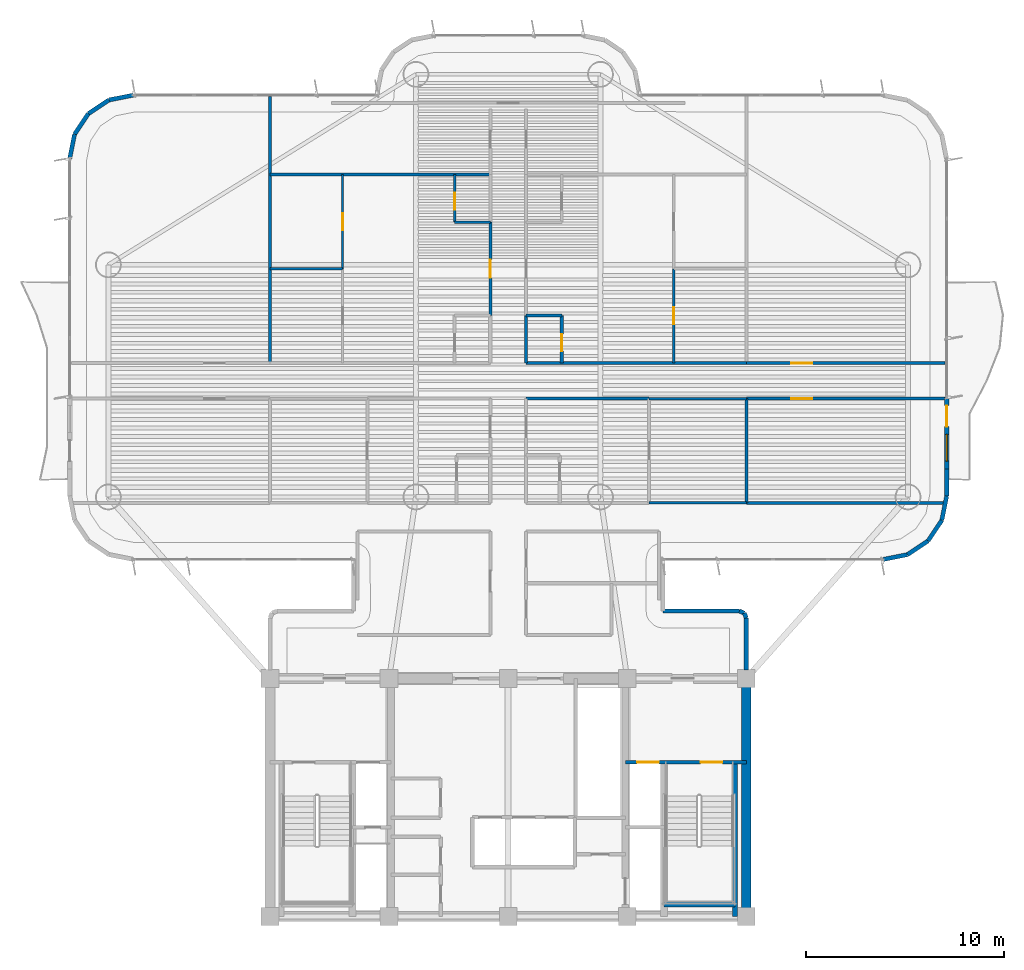
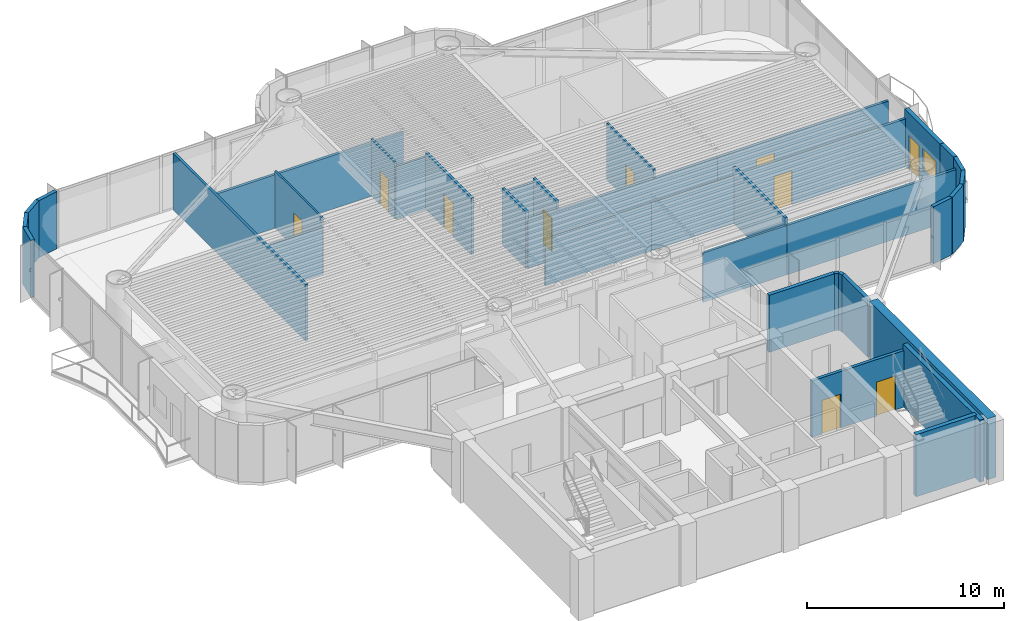
# One storey, part 11 of 17: 37 walls, 10 doors, 1 window, 11 openings.
"""IFC4 building model written with IfcOpenShell, lengths in metres."""

from ifc_helpers import new_model, si_unit, direction, frame, frame_2d, origin, origin_2d, place, context, subcontext, project, spatial, rectangle, extrude, source, transform, mapped, material, layer, layer_set, type_object, element, fill, save


model = new_model("IFC4")

# Units and contexts
model_context = context("Model", 3, precision=1e-05, world=origin(), true_north=direction((0.0, 1.0)))
body_context = subcontext(model_context, "Body", "Model", "MODEL_VIEW")
ifc_project = project(units=[si_unit("LENGTHUNIT", "METRE"), si_unit("AREAUNIT", "SQUARE_METRE"), si_unit("VOLUMEUNIT", "CUBIC_METRE"), si_unit("PLANEANGLEUNIT", "RADIAN"), si_unit("MASSUNIT", "GRAM", prefix="KILO")], contexts=[model_context])

# Site, building, storey
site_placement = place(None, origin())
site = spatial("IfcSite", under=ifc_project, at=site_placement, CompositionType="ELEMENT")
building_placement = place(site_placement, origin())
building = spatial("IfcBuilding", under=site, at=building_placement, Name="Brelvock Crest Care Tower", CompositionType="ELEMENT")
storey_placement = place(building_placement, frame((0.0, 0.0, 97.3798828125)))
storey = spatial("IfcBuildingStorey", under=building, at=storey_placement, Name="L24", CompositionType="ELEMENT", Elevation=97.3798828125)

# Walls
ifc_material_1 = material(Name="Concrete S80 (80 MPa)", Category="concrete")
ifc_layer_1 = layer(ifc_material_1, 0.5, Name="WL-CS2")
ifc_layer_set_1 = layer_set([ifc_layer_1], Name="Concrete S80 (80 MPa)")
wall_type_1 = type_object("IfcWallType", Name="WL-CS2", PredefinedType="SHEAR", material=ifc_layer_set_1)
wall_1_placement = place(storey_placement, frame((48.0, 18.0, 0.0), z_axis=(0.0, 0.0, 1.0), x_axis=(0.0, -1.0, 0.0)))
element("IfcWall", 1, at=wall_1_placement, inside=storey, type_object=wall_type_1, Name="L24 Core East Shear Wall", PredefinedType="SHEAR", context=body_context, shape_type="SweptSolid", body=[
    extrude(rectangle(XDim=12.0, YDim=0.5, at=frame_2d((6.0, 0.0))), origin(), (0.0, 0.0, 1.0), 3.780029296875),
])
ifc_layer_2 = layer(ifc_material_1, 0.25, Name="WL-CS6")
ifc_layer_set_2 = layer_set([ifc_layer_2], Name="Concrete S80 (80 MPa)")
wall_type_2 = type_object("IfcWallType", Name="WL-CS6", PredefinedType="SHEAR", material=ifc_layer_set_2)
wall_2_placement = place(storey_placement, frame((47.419921875, 6.0, 0.0), z_axis=(0.0, 0.0, 1.0), x_axis=(0.0, 1.0, 0.0)))
element("IfcWall", 2, at=wall_2_placement, inside=storey, type_object=wall_type_2, Name="L24 Core Stair ST-2 East Shear Wall", PredefinedType="SHEAR", context=body_context, shape_type="SweptSolid", body=[
    extrude(rectangle(XDim=7.780029296875, YDim=0.25, at=frame_2d((3.89013671875, 0.0))), origin(), (0.0, 0.0, 1.0), 3.85009765625),
])
wall_3_placement = place(storey_placement, frame((43.85009765625, 6.6201171875, 0.0), z_axis=(0.0, 0.0, 1.0), x_axis=(1.0, 0.0, 0.0)))
element("IfcWall", 3, at=wall_3_placement, inside=storey, type_object=wall_type_2, Name="L24 Core Stair ST-2 South Shear Wall", PredefinedType="SHEAR", context=body_context, shape_type="SweptSolid", body=[
    extrude(rectangle(XDim=3.56982421875, YDim=0.25, at=frame_2d((1.784912109375, 0.0))), origin(), (0.0, 0.0, 1.0), 3.85009765625),
])

# Wall, openings, door, window
ifc_material_2 = material(Name="Precast concrete N40 (40 MPa)", Category="concrete")
ifc_layer_3 = layer(ifc_material_2, 0.239990234375, Name="WL-EX1")
ifc_layer_set_3 = layer_set([ifc_layer_3], Name="Precast concrete N40 (40 MPa)")
wall_type_3 = type_object("IfcWallType", Name="WL-EX1", PredefinedType="SOLIDWALL", material=ifc_layer_set_3)
wall_4_placement = place(storey_placement, frame((58.10009765625, 32.14990234375, 0.0), z_axis=(0.0, 0.0, 1.0), x_axis=(0.0, -1.0, 0.0)))
wall_4 = element("IfcWall", 4, at=wall_4_placement, inside=storey, type_object=wall_type_3, Name="L24 Exterior Spandrel Wall WL-BAL-L24-E", PredefinedType="SOLIDWALL", context=body_context, shape_type="SweptSolid", body=[
    extrude(rectangle(XDim=3.599853515625, YDim=0.239990234375, at=frame_2d((1.7998046875, 0.0))), origin(), (0.0, 0.0, 1.0), 3.530029296875),
])
opening_1_placement = place(wall_4_placement, frame((0.39990234375, 0.0, 0.0)))
opening_1 = element("IfcOpeningElement", 5, at=opening_1_placement, cuts=wall_4, Name="Opening BD-1", PredefinedType="OPENING", context=body_context, shape_type="SweptSolid", body=[
    extrude(rectangle(XDim=1.050048828125, YDim=2.14990234375, at=origin_2d()), frame((0.52490234375, 0.1298828125, 1.074951171875), z_axis=(0.0, -1.0, 0.0), x_axis=(1.0, 0.0, 0.0)), (0.0, 0.0, 1.0), 0.260009765625),
])
opening_2_placement = place(wall_4_placement, frame((1.85009765625, 0.0, 0.85009765625)))
opening_2 = element("IfcOpeningElement", 6, at=opening_2_placement, cuts=wall_4, Name="Opening W-01", PredefinedType="OPENING", context=body_context, shape_type="SweptSolid", body=[
    extrude(rectangle(XDim=1.35009765625, YDim=1.35009765625, at=origin_2d()), frame((0.675048828125, 0.1298828125, 0.675048828125), z_axis=(0.0, -1.0, 0.0), x_axis=(1.0, 0.0, 0.0)), (0.0, 0.0, 1.0), 0.260009765625),
])
ifc_material_3 = material(Name="Dark Glass Double Glazed Low-E", Category="glass")
door_type_1 = type_object("IfcDoorType", Name="DR-BAL1", OperationType="NOTDEFINED", PredefinedType="DOOR", material=ifc_material_3)
shared_shape_1 = source(origin(), body_context, "Body", "SweptSolid", [
    extrude(rectangle(XDim=1.050048828125, YDim=2.14990234375, at=origin_2d()), frame((0.52490234375, 0.02490234375, 1.074951171875), z_axis=(0.0, -1.0, 0.0), x_axis=(1.0, 0.0, 0.0)), (0.0, 0.0, 1.0), 0.050048828125),
])
door_1_placement = place(opening_1_placement, origin())
door_1 = element("IfcDoor", 7, at=door_1_placement, inside=storey, type_object=door_type_1, Name="L24 E Wave Balcony Glazed Door", OperationType="SINGLE_SWING_RIGHT", OverallHeight=2.14990234375, OverallWidth=1.050048828125, PredefinedType="DOOR", context=body_context, shape_type="MappedRepresentation", body=[
    mapped(shared_shape_1, transform((0.0, 0.0, 0.0), x_axis=(1.0, 0.0, 0.0), y_axis=(0.0, 1.0, 0.0), z_axis=(0.0, 0.0, 1.0), scale=1.0)),
])
fill(opening_1, door_1)
window_type = type_object("IfcWindowType", Name="WN-EX1", PartitioningType="SINGLE_PANEL", PredefinedType="WINDOW", material=ifc_material_3)
shared_shape_2 = source(origin(), body_context, "Body", "SweptSolid", [
    extrude(rectangle(XDim=1.35009765625, YDim=1.35009765625, at=origin_2d()), frame((0.675048828125, 0.030029296875, 0.675048828125), z_axis=(0.0, -1.0, 0.0), x_axis=(1.0, 0.0, 0.0)), (0.0, 0.0, 1.0), 0.06005859375),
])
window_placement = place(opening_2_placement, origin())
window = element("IfcWindow", 8, at=window_placement, inside=storey, type_object=window_type, Name="L24 E Suite Casement Window", OverallHeight=1.35009765625, OverallWidth=1.35009765625, PartitioningType="SINGLE_PANEL", PredefinedType="WINDOW", context=body_context, shape_type="MappedRepresentation", body=[
    mapped(shared_shape_2, transform((0.0, 0.0, 0.0), x_axis=(1.0, 0.0, 0.0), y_axis=(0.0, 1.0, 0.0), z_axis=(0.0, 0.0, 1.0), scale=1.0)),
])
fill(opening_2, window)

# Walls
ifc_layer_4 = layer(ifc_material_2, 0.215087890625, Name="WL-EX2")
ifc_layer_set_4 = layer_set([ifc_layer_4], Name="Precast concrete N40 (40 MPa)")
wall_type_4 = type_object("IfcWallType", Name="WL-EX2", PredefinedType="SOLIDWALL", material=ifc_layer_set_4)
wall_5_placement = place(storey_placement, frame((47.8974609375, 21.297607421875, 0.0), z_axis=(0.0, 0.0, 1.0), x_axis=(0.382673670509, -0.923883575944, 0.0)))
element("IfcWall", 9, at=wall_5_placement, inside=storey, type_object=wall_type_4, Name="L24 Rounded Corner Wall 00", PredefinedType="SOLIDWALL", context=body_context, shape_type="SweptSolid", body=[
    extrude(rectangle(XDim=0.26806640625, YDim=0.215087890625, at=frame_2d((0.134033203125, 0.0))), origin(), (0.0, 0.0, 1.0), 3.530029296875),
])
wall_6_placement = place(storey_placement, frame((48.0, 21.050048828125, 0.0), z_axis=(0.0, 0.0, 1.0), x_axis=(0.0, -1.0, 0.0)))
element("IfcWall", 10, at=wall_6_placement, inside=storey, type_object=wall_type_4, Name="L24 Rounded Corner Wall 01", PredefinedType="SOLIDWALL", context=body_context, shape_type="SweptSolid", body=[
    extrude(rectangle(XDim=2.6201171875, YDim=0.215087890625, at=frame_2d((1.31005859375, 0.0))), origin(), (0.0, 0.0, 1.0), 3.530029296875),
])
for number, where, z_axis, x_axis, name in (
    (11, (13.89990234375, 44.199951171875, 0.0), (0.0, 0.0, 1.0), (0.195138390419, 0.980775717779, 0.0), "L24 Rounded Corner Wall 18"),
    (12, (14.1435546875, 45.424560546875, 0.0), (0.0, 0.0, 1.0), (0.555692485475, 0.831387912822, 0.0), "L24 Rounded Corner Wall 19"),
    (13, (14.83740234375, 46.462646484375, 0.0), (0.0, 0.0, 1.0), (0.831387912822, 0.555692485475, 0.0), "L24 Rounded Corner Wall 20"),
    (14, (15.87548828125, 47.156494140625, 0.0), (0.0, 0.0, 1.0), (0.980813122964, 0.194950295773, 0.0), "L24 Rounded Corner Wall 21"),
):
    element("IfcWall", number, at=place(storey_placement, frame(where, z_axis=z_axis, x_axis=x_axis)), inside=storey, type_object=wall_type_4, Name=name, PredefinedType="SOLIDWALL", context=body_context, shape_type="SweptSolid", body=[
        extrude(rectangle(XDim=1.24853515625, YDim=0.215087890625, at=frame_2d((0.624267578125, 0.0))), origin(), (0.0, 0.0, 1.0), 3.530029296875),
    ])
wall_7_placement = place(storey_placement, frame((58.10009765625, 28.550048828125, 0.0), z_axis=(0.0, 0.0, 1.0), x_axis=(0.0, -1.0, 0.0)))
element("IfcWall", 15, at=wall_7_placement, inside=storey, type_object=wall_type_4, Name="L24 Exterior Spandrel Pier E39B", PredefinedType="SOLIDWALL", context=body_context, shape_type="SweptSolid", body=[
    extrude(rectangle(XDim=1.35009765625, YDim=0.215087890625, at=frame_2d((0.675048828125, 0.0))), origin(), (0.0, 0.0, 1.0), 3.530029296875),
])
for number, where, z_axis, x_axis, name in (
    (16, (58.10009765625, 27.199951171875, 0.0), (0.0, 0.0, 1.0), (-0.195138390419, -0.980775717779, 0.0), "L24 Rounded Corner Wall 40"),
    (17, (57.8564453125, 25.975341796875, 0.0), (0.0, 0.0, 1.0), (-0.555692485475, -0.831387912822, 0.0), "L24 Rounded Corner Wall 41"),
    (18, (57.16259765625, 24.937255859375, 0.0), (0.0, 0.0, 1.0), (-0.831478245117, -0.555557312883, 0.0), "L24 Rounded Corner Wall 42"),
    (19, (56.12451171875, 24.24365234375, 0.0), (0.0, 0.0, 1.0), (-0.980775717779, -0.195138390419, 0.0), "L24 Rounded Corner Wall 43"),
):
    element("IfcWall", number, at=place(storey_placement, frame(where, z_axis=z_axis, x_axis=x_axis)), inside=storey, type_object=wall_type_4, Name=name, PredefinedType="SOLIDWALL", context=body_context, shape_type="SweptSolid", body=[
        extrude(rectangle(XDim=1.24853515625, YDim=0.215087890625, at=frame_2d((0.624267578125, 0.0))), origin(), (0.0, 0.0, 1.0), 3.530029296875),
    ])
wall_8_placement = place(storey_placement, frame((43.800048828125, 21.39990234375, 0.0), z_axis=(0.0, 0.0, 1.0), x_axis=(1.0, 0.0, 0.0)))
element("IfcWall", 20, at=wall_8_placement, inside=storey, type_object=wall_type_4, Name="L24 Rounded Corner Wall 46", PredefinedType="SOLIDWALL", context=body_context, shape_type="SweptSolid", body=[
    extrude(rectangle(XDim=3.849853515625, YDim=0.215087890625, at=frame_2d((1.9248046875, 0.0))), origin(), (0.0, 0.0, 1.0), 3.530029296875),
])
wall_9_placement = place(storey_placement, frame((47.64990234375, 21.39990234375, 0.0), z_axis=(0.0, 0.0, 1.0), x_axis=(0.924205486139, -0.381895560841, 0.0)))
element("IfcWall", 21, at=wall_9_placement, inside=storey, type_object=wall_type_4, Name="L24 Rounded Corner Wall 47", PredefinedType="SOLIDWALL", context=body_context, shape_type="SweptSolid", body=[
    extrude(rectangle(XDim=0.267822265625, YDim=0.215087890625, at=frame_2d((0.1337890625, 0.0))), origin(), (0.0, 0.0, 1.0), 3.530029296875),
])
ifc_material_4 = material(Name="Masonry Blockwork Acoustic Partition", Category="masonry")
ifc_layer_5 = layer(ifc_material_4, 0.14990234375, Name="WL-INT1")
ifc_layer_set_5 = layer_set([ifc_layer_5], Name="Masonry Blockwork Acoustic Partition")
wall_type_5 = type_object("IfcWallType", Name="WL-INT1", PredefinedType="PARTITIONING", material=ifc_layer_set_5)
wall_10_placement = place(storey_placement, frame((48.0, 26.85009765625, 0.0), z_axis=(0.0, 0.0, 1.0), x_axis=(1.0, 0.0, 0.0)))
element("IfcWall", 22, at=wall_10_placement, inside=storey, type_object=wall_type_5, Name="L24 Interior Wall WL-BX-L24-ISEO-S", PredefinedType="PARTITIONING", context=body_context, shape_type="SweptSolid", body=[
    extrude(rectangle(XDim=9.94873046875, YDim=0.14990234375, at=frame_2d((4.974365234375, 0.0))), origin(), (0.0, 0.0, 1.0), 3.05517578125),
])
wall_11_placement = place(storey_placement, frame((36.89990234375, 32.10009765625, 0.0), z_axis=(0.0, 0.0, 1.0), x_axis=(1.0, 0.0, 0.0)))
element("IfcWall", 23, at=wall_11_placement, inside=storey, type_object=wall_type_5, Name="L24 Interior Wall WL-BX-L24-CS-ISEI-N", PredefinedType="PARTITIONING", context=body_context, shape_type="SweptSolid", body=[
    extrude(rectangle(XDim=6.2001953125, YDim=0.14990234375, at=frame_2d((3.10009765625, 0.0))), origin(), (0.0, 0.0, 1.0), 2.982177734375),
])

# Wall, opening, door
wall_12_placement = place(storey_placement, frame((48.0, 32.10009765625, 0.0), z_axis=(0.0, 0.0, 1.0), x_axis=(1.0, 0.0, 0.0)))
wall_12 = element("IfcWall", 24, at=wall_12_placement, inside=storey, type_object=wall_type_5, Name="L24 Interior Wall WL-RM-L24-ISEO", PredefinedType="PARTITIONING", context=body_context, shape_type="SweptSolid", body=[
    extrude(rectangle(XDim=10.02001953125, YDim=0.14990234375, at=frame_2d((5.010009765625, 0.0))), origin(), (0.0, 0.0, 1.0), 2.982177734375),
])
opening_3_placement = place(wall_12_placement, frame((2.27490234375, 0.0, 0.0)))
opening_3 = element("IfcOpeningElement", 25, at=opening_3_placement, cuts=wall_12, Name="Opening CLD-1", PredefinedType="OPENING", context=body_context, shape_type="SweptSolid", body=[
    extrude(rectangle(XDim=1.050048828125, YDim=2.10009765625, at=origin_2d()), frame((0.52490234375, 0.0849609375, 1.050048828125), z_axis=(0.0, -1.0, 0.0), x_axis=(1.0, 0.0, 0.0)), (0.0, 0.0, 1.0), 0.169921875),
])
ifc_material_5 = material(Name="Engineered Hardwood Timber", Category="wood")
door_type_2 = type_object("IfcDoorType", Name="DR-CLN1", OperationType="NOTDEFINED", PredefinedType="DOOR", material=ifc_material_5)
shared_shape_3 = source(origin(), body_context, "Body", "SweptSolid", [
    extrude(rectangle(XDim=1.050048828125, YDim=2.10009765625, at=origin_2d()), frame((0.52490234375, 0.02490234375, 1.050048828125), z_axis=(0.0, -1.0, 0.0), x_axis=(1.0, 0.0, 0.0)), (0.0, 0.0, 1.0), 0.050048828125),
])
door_2_placement = place(opening_3_placement, origin())
door_2 = element("IfcDoor", 26, at=door_2_placement, inside=storey, type_object=door_type_2, Name="L24 Resident Harbour Study Door ISEO", OperationType="SINGLE_SWING_LEFT", OverallHeight=2.10009765625, OverallWidth=1.050048828125, PredefinedType="DOOR", context=body_context, shape_type="MappedRepresentation", body=[
    mapped(shared_shape_3, transform((0.0, 0.0, 0.0), x_axis=(1.0, 0.0, 0.0), y_axis=(0.0, 1.0, 0.0), z_axis=(0.0, 0.0, 1.0), scale=1.0)),
])
fill(opening_3, door_2)

# Wall
wall_13_placement = place(storey_placement, frame((36.89990234375, 33.89990234375, 0.0), z_axis=(0.0, 0.0, 1.0), x_axis=(1.0, 0.0, 0.0)))
element("IfcWall", 27, at=wall_13_placement, inside=storey, type_object=wall_type_5, Name="L24 Interior Wall WL-BX-L24-FL-INEI-S", PredefinedType="PARTITIONING", context=body_context, shape_type="SweptSolid", body=[
    extrude(rectangle(XDim=11.10009765625, YDim=0.14990234375, at=frame_2d((5.550048828125, 0.0))), origin(), (0.0, 0.0, 1.0), 2.982177734375),
])

# Wall, opening, door
wall_14_placement = place(storey_placement, frame((48.0, 33.89990234375, 0.0), z_axis=(0.0, 0.0, 1.0), x_axis=(1.0, 0.0, 0.0)))
wall_14 = element("IfcWall", 28, at=wall_14_placement, inside=storey, type_object=wall_type_5, Name="L24 Interior Wall WL-RM-L24-INEO", PredefinedType="PARTITIONING", context=body_context, shape_type="SweptSolid", body=[
    extrude(rectangle(XDim=10.02001953125, YDim=0.14990234375, at=frame_2d((5.010009765625, 0.0))), origin(), (0.0, 0.0, 1.0), 2.982177734375),
])
opening_4_placement = place(wall_14_placement, frame((2.27490234375, 0.0, 0.0)))
opening_4 = element("IfcOpeningElement", 29, at=opening_4_placement, cuts=wall_14, Name="Opening CLD-1", PredefinedType="OPENING", context=body_context, shape_type="SweptSolid", body=[
    extrude(rectangle(XDim=1.050048828125, YDim=2.10009765625, at=origin_2d()), frame((0.52490234375, 0.0849609375, 1.050048828125), z_axis=(0.0, -1.0, 0.0), x_axis=(1.0, 0.0, 0.0)), (0.0, 0.0, 1.0), 0.169921875),
])
door_3_placement = place(opening_4_placement, origin())
door_3 = element("IfcDoor", 30, at=door_3_placement, inside=storey, type_object=door_type_2, Name="L24 Resident Harbour Study Door INEO", OperationType="SINGLE_SWING_LEFT", OverallHeight=2.10009765625, OverallWidth=1.050048828125, PredefinedType="DOOR", context=body_context, shape_type="MappedRepresentation", body=[
    mapped(shared_shape_3, transform((0.0, 0.0, 0.0), x_axis=(1.0, 0.0, 0.0), y_axis=(0.0, 1.0, 0.0), z_axis=(0.0, 0.0, 1.0), scale=1.0)),
])
fill(opening_4, door_3)

# Walls
wall_15_placement = place(storey_placement, frame((24.0, 43.39990234375, 0.0), z_axis=(0.0, 0.0, 1.0), x_axis=(1.0, 0.0, 0.0)))
element("IfcWall", 31, at=wall_15_placement, inside=storey, type_object=wall_type_5, Name="L24 Interior Wall WL-BX-L24-FL-INWI-N", PredefinedType="PARTITIONING", context=body_context, shape_type="SweptSolid", body=[
    extrude(rectangle(XDim=11.10009765625, YDim=0.14990234375, at=frame_2d((5.550048828125, 0.0))), origin(), (0.0, 0.0, 1.0), 3.30810546875),
])
wall_16_placement = place(storey_placement, frame((24.0, 33.89990234375, 0.0), z_axis=(0.0, 0.0, 1.0), x_axis=(0.0, 1.0, 0.0)))
element("IfcWall", 32, at=wall_16_placement, inside=storey, type_object=wall_type_5, Name="L24 Interior Wall WL-BX-L24-INWO-E", PredefinedType="PARTITIONING", context=body_context, shape_type="SweptSolid", body=[
    extrude(rectangle(XDim=13.4208984375, YDim=0.14990234375, at=frame_2d((6.71044921875, 0.0))), origin(), (0.0, 0.0, 1.0), 3.5),
])

# Wall, opening, door
wall_17_placement = place(storey_placement, frame((35.10009765625, 36.300048828125, 0.0), z_axis=(0.0, 0.0, 1.0), x_axis=(0.0, 1.0, 0.0)))
wall_17 = element("IfcWall", 33, at=wall_17_placement, inside=storey, type_object=wall_type_5, Name="L24 Interior Wall WL-UENT-L24-INWI", PredefinedType="PARTITIONING", context=body_context, shape_type="SweptSolid", body=[
    extrude(rectangle(XDim=4.699951171875, YDim=0.14990234375, at=frame_2d((2.35009765625, 0.0))), origin(), (0.0, 0.0, 1.0), 3.5),
])
opening_5_placement = place(wall_17_placement, frame((1.889892578125, 0.0, 0.0)))
opening_5 = element("IfcOpeningElement", 34, at=opening_5_placement, cuts=wall_17, Name="Opening AD-1", PredefinedType="OPENING", context=body_context, shape_type="SweptSolid", body=[
    extrude(rectangle(XDim=0.919921875, YDim=2.10009765625, at=origin_2d()), frame((0.4599609375, 0.0849609375, 1.050048828125), z_axis=(0.0, -1.0, 0.0), x_axis=(1.0, 0.0, 0.0)), (0.0, 0.0, 1.0), 0.169921875),
])
door_type_3 = type_object("IfcDoorType", Name="DR-APT1", OperationType="NOTDEFINED", PredefinedType="DOOR", material=ifc_material_5)
shared_shape_4 = source(origin(), body_context, "Body", "SweptSolid", [
    extrude(rectangle(XDim=0.919921875, YDim=2.10009765625, at=origin_2d()), frame((0.4599609375, 0.02490234375, 1.050048828125), z_axis=(0.0, -1.0, 0.0), x_axis=(1.0, 0.0, 0.0)), (0.0, 0.0, 1.0), 0.050048828125),
])
door_4_placement = place(opening_5_placement, origin())
door_4 = element("IfcDoor", 35, at=door_4_placement, inside=storey, type_object=door_type_3, Name="L24 Apartment Entrance INWI", OperationType="SINGLE_SWING_LEFT", OverallHeight=2.10009765625, OverallWidth=0.919921875, PredefinedType="DOOR", context=body_context, shape_type="MappedRepresentation", body=[
    mapped(shared_shape_4, transform((0.0, 0.0, 0.0), x_axis=(1.0, 0.0, 0.0), y_axis=(0.0, 1.0, 0.0), z_axis=(0.0, 0.0, 1.0), scale=1.0)),
])
fill(opening_5, door_4)

# Walls
wall_18_placement = place(storey_placement, frame((48.0, 26.85009765625, 0.0), z_axis=(0.0, 0.0, 1.0), x_axis=(0.0, 1.0, 0.0)))
element("IfcWall", 36, at=wall_18_placement, inside=storey, type_object=wall_type_5, Name="L24 Interior Wall WL-BX-L24-ISEIS-E", PredefinedType="PARTITIONING", context=body_context, shape_type="SweptSolid", body=[
    extrude(rectangle(XDim=5.25, YDim=0.14990234375, at=frame_2d((2.625, 0.0))), origin(), (0.0, 0.0, 1.0), 3.5),
])
ifc_material_6 = material(Name="Gypsum Plasterboard Partition", Category="gypsum")
ifc_layer_6 = layer(ifc_material_6, 0.1201171875, Name="WL-INT2")
ifc_layer_set_6 = layer_set([ifc_layer_6], Name="Gypsum Plasterboard Partition")
wall_type_6 = type_object("IfcWallType", Name="WL-INT2", PredefinedType="PARTITIONING", material=ifc_layer_set_6)
wall_19_placement = place(storey_placement, frame((43.10009765625, 26.85009765625, 0.0), z_axis=(0.0, 0.0, 1.0), x_axis=(1.0, 0.0, 0.0)))
element("IfcWall", 37, at=wall_19_placement, inside=storey, type_object=wall_type_6, Name="L24 Interior Wall WL-BX-L24-ISEIS-S", PredefinedType="PARTITIONING", context=body_context, shape_type="SweptSolid", body=[
    extrude(rectangle(XDim=4.89990234375, YDim=0.1201171875, at=frame_2d((2.449951171875, 0.0))), origin(), (0.0, 0.0, 1.0), 3.05517578125),
])
wall_20_placement = place(storey_placement, frame((43.10009765625, 32.10009765625, 0.0), z_axis=(0.0, 0.0, 1.0), x_axis=(1.0, 0.0, 0.0)))
element("IfcWall", 38, at=wall_20_placement, inside=storey, type_object=wall_type_6, Name="L24 Interior Wall WL-BX-L24-ISEIS-N", PredefinedType="PARTITIONING", context=body_context, shape_type="SweptSolid", body=[
    extrude(rectangle(XDim=4.89990234375, YDim=0.1201171875, at=frame_2d((2.449951171875, 0.0))), origin(), (0.0, 0.0, 1.0), 2.982177734375),
])
wall_21_placement = place(storey_placement, frame((24.0, 38.64990234375, 0.0), z_axis=(0.0, 0.0, 1.0), x_axis=(1.0, 0.0, 0.0)))
element("IfcWall", 39, at=wall_21_placement, inside=storey, type_object=wall_type_6, Name="L24 Interior Wall WL-UBSP-L24-INWI", PredefinedType="PARTITIONING", context=body_context, shape_type="SweptSolid", body=[
    extrude(rectangle(XDim=3.64990234375, YDim=0.1201171875, at=frame_2d((1.824951171875, 0.0))), origin(), (0.0, 0.0, 1.0), 2.903076171875),
])
wall_22_placement = place(storey_placement, frame((33.300048828125, 41.0, 0.0), z_axis=(0.0, 0.0, 1.0), x_axis=(1.0, 0.0, 0.0)))
element("IfcWall", 40, at=wall_22_placement, inside=storey, type_object=wall_type_6, Name="L24 Interior Wall WL-UKIT2-L24-INWI", PredefinedType="PARTITIONING", context=body_context, shape_type="SweptSolid", body=[
    extrude(rectangle(XDim=1.800048828125, YDim=0.1201171875, at=frame_2d((0.89990234375, 0.0))), origin(), (0.0, 0.0, 1.0), 3.259033203125),
])

# Wall, opening, door
wall_23_placement = place(storey_placement, frame((27.64990234375, 38.64990234375, 0.0), z_axis=(0.0, 0.0, 1.0), x_axis=(0.0, 1.0, 0.0)))
wall_23 = element("IfcWall", 41, at=wall_23_placement, inside=storey, type_object=wall_type_6, Name="L24 Interior Wall WL-UBD2-L24-INWI", PredefinedType="PARTITIONING", context=body_context, shape_type="SweptSolid", body=[
    extrude(rectangle(XDim=4.75, YDim=0.1201171875, at=frame_2d((2.375, 0.0))), origin(), (0.0, 0.0, 1.0), 3.5),
])
opening_6_placement = place(wall_23_placement, frame((1.945068359375, 0.0, 0.0)))
opening_6 = element("IfcOpeningElement", 42, at=opening_6_placement, cuts=wall_23, Name="Opening ID-1", PredefinedType="OPENING", context=body_context, shape_type="SweptSolid", body=[
    extrude(rectangle(XDim=0.860107421875, YDim=2.10009765625, at=origin_2d()), frame((0.43017578125, 0.070068359375, 1.050048828125), z_axis=(0.0, -1.0, 0.0), x_axis=(1.0, 0.0, 0.0)), (0.0, 0.0, 1.0), 0.14013671875),
])
door_type_4 = type_object("IfcDoorType", Name="DR-INT1", OperationType="NOTDEFINED", PredefinedType="DOOR", material=ifc_material_5)
shared_shape_5 = source(origin(), body_context, "Body", "SweptSolid", [
    extrude(rectangle(XDim=0.860107421875, YDim=2.10009765625, at=origin_2d()), frame((0.43017578125, 0.02490234375, 1.050048828125), z_axis=(0.0, -1.0, 0.0), x_axis=(1.0, 0.0, 0.0)), (0.0, 0.0, 1.0), 0.050048828125),
])
door_5_placement = place(opening_6_placement, origin())
door_5 = element("IfcDoor", 43, at=door_5_placement, inside=storey, type_object=door_type_4, Name="L24 Second Room Door INWI", OperationType="SINGLE_SWING_LEFT", OverallHeight=2.10009765625, OverallWidth=0.860107421875, PredefinedType="DOOR", context=body_context, shape_type="MappedRepresentation", body=[
    mapped(shared_shape_5, transform((0.0, 0.0, 0.0), x_axis=(1.0, 0.0, 0.0), y_axis=(0.0, 1.0, 0.0), z_axis=(0.0, 0.0, 1.0), scale=1.0)),
])
fill(opening_6, door_5)

wall_24_placement = place(storey_placement, frame((33.300048828125, 41.0, 0.0), z_axis=(0.0, 0.0, 1.0), x_axis=(0.0, 1.0, 0.0)))
wall_24 = element("IfcWall", 44, at=wall_24_placement, inside=storey, type_object=wall_type_6, Name="L24 Interior Wall WL-UKIT1-L24-INWI", PredefinedType="PARTITIONING", context=body_context, shape_type="SweptSolid", body=[
    extrude(rectangle(XDim=2.39990234375, YDim=0.1201171875, at=frame_2d((1.199951171875, 0.0))), origin(), (0.0, 0.0, 1.0), 3.5),
])
opening_7_placement = place(wall_24_placement, frame((0.6201171875, 0.0, 0.0)))
opening_7 = element("IfcOpeningElement", 45, at=opening_7_placement, cuts=wall_24, Name="Opening ID-1", PredefinedType="OPENING", context=body_context, shape_type="SweptSolid", body=[
    extrude(rectangle(XDim=0.860107421875, YDim=2.10009765625, at=origin_2d()), frame((0.43017578125, 0.070068359375, 1.050048828125), z_axis=(0.0, -1.0, 0.0), x_axis=(1.0, 0.0, 0.0)), (0.0, 0.0, 1.0), 0.14013671875),
])
door_6_placement = place(opening_7_placement, origin())
door_6 = element("IfcDoor", 46, at=door_6_placement, inside=storey, type_object=door_type_4, Name="L24 Kitchen Door INWI", OperationType="SINGLE_SWING_LEFT", OverallHeight=2.10009765625, OverallWidth=0.860107421875, PredefinedType="DOOR", context=body_context, shape_type="MappedRepresentation", body=[
    mapped(shared_shape_5, transform((0.0, 0.0, 0.0), x_axis=(1.0, 0.0, 0.0), y_axis=(0.0, 1.0, 0.0), z_axis=(0.0, 0.0, 1.0), scale=1.0)),
])
fill(opening_7, door_6)

wall_25_placement = place(storey_placement, frame((44.35009765625, 33.89990234375, 0.0), z_axis=(0.0, 0.0, 1.0), x_axis=(0.0, 1.0, 0.0)))
wall_25 = element("IfcWall", 47, at=wall_25_placement, inside=storey, type_object=wall_type_6, Name="L24 Interior Wall WL-UBD1-L24-INEI", PredefinedType="PARTITIONING", context=body_context, shape_type="SweptSolid", body=[
    extrude(rectangle(XDim=4.75, YDim=0.1201171875, at=frame_2d((2.375, 0.0))), origin(), (0.0, 0.0, 1.0), 3.5),
])
opening_8_placement = place(wall_25_placement, frame((1.945068359375, 0.0, 0.0)))
opening_8 = element("IfcOpeningElement", 48, at=opening_8_placement, cuts=wall_25, Name="Opening ID-1", PredefinedType="OPENING", context=body_context, shape_type="SweptSolid", body=[
    extrude(rectangle(XDim=0.860107421875, YDim=2.10009765625, at=origin_2d()), frame((0.43017578125, 0.070068359375, 1.050048828125), z_axis=(0.0, -1.0, 0.0), x_axis=(1.0, 0.0, 0.0)), (0.0, 0.0, 1.0), 0.14013671875),
])
door_7_placement = place(opening_8_placement, origin())
door_7 = element("IfcDoor", 49, at=door_7_placement, inside=storey, type_object=door_type_4, Name="L24 Primary Bedroom Door INEI", OperationType="SINGLE_SWING_RIGHT", OverallHeight=2.10009765625, OverallWidth=0.860107421875, PredefinedType="DOOR", context=body_context, shape_type="MappedRepresentation", body=[
    mapped(shared_shape_5, transform((0.0, 0.0, 0.0), x_axis=(1.0, 0.0, 0.0), y_axis=(0.0, 1.0, 0.0), z_axis=(0.0, 0.0, 1.0), scale=1.0)),
])
fill(opening_8, door_7)

# Walls
ifc_layer_7 = layer(ifc_material_6, 0.159912109375, Name="WL-PLM1")
ifc_layer_set_7 = layer_set([ifc_layer_7], Name="Gypsum Plasterboard Partition")
wall_type_7 = type_object("IfcWallType", Name="WL-PLM1", PredefinedType="PLUMBINGWALL", material=ifc_layer_set_7)
wall_26_placement = place(storey_placement, frame((36.89990234375, 36.300048828125, 0.0), z_axis=(0.0, 0.0, 1.0), x_axis=(1.0, 0.0, 0.0)))
element("IfcWall", 50, at=wall_26_placement, inside=storey, type_object=wall_type_7, Name="L24 Interior Wall WL-UBTH2-L24-INEI", PredefinedType="PLUMBINGWALL", context=body_context, shape_type="SweptSolid", body=[
    extrude(rectangle(XDim=1.800048828125, YDim=0.159912109375, at=frame_2d((0.89990234375, 0.0))), origin(), (0.0, 0.0, 1.0), 3.259033203125),
])
wall_27_placement = place(storey_placement, frame((36.89990234375, 33.89990234375, 0.0), z_axis=(0.0, 0.0, 1.0), x_axis=(0.0, 1.0, 0.0)))
element("IfcWall", 51, at=wall_27_placement, inside=storey, type_object=wall_type_7, Name="L24 Interior Wall WL-UCB-L24-INEI", PredefinedType="PLUMBINGWALL", context=body_context, shape_type="SweptSolid", body=[
    extrude(rectangle(XDim=2.400146484375, YDim=0.159912109375, at=frame_2d((1.2001953125, 0.0))), origin(), (0.0, 0.0, 1.0), 3.5),
])

# Wall, opening, door
wall_28_placement = place(storey_placement, frame((38.699951171875, 33.89990234375, 0.0), z_axis=(0.0, 0.0, 1.0), x_axis=(0.0, 1.0, 0.0)))
wall_28 = element("IfcWall", 52, at=wall_28_placement, inside=storey, type_object=wall_type_7, Name="L24 Interior Wall WL-UBTH1-L24-INEI", PredefinedType="PLUMBINGWALL", context=body_context, shape_type="SweptSolid", body=[
    extrude(rectangle(XDim=2.400146484375, YDim=0.159912109375, at=frame_2d((1.2001953125, 0.0))), origin(), (0.0, 0.0, 1.0), 3.5),
])
opening_9_placement = place(wall_28_placement, frame((0.60009765625, 0.0, 0.0)))
opening_9 = element("IfcOpeningElement", 53, at=opening_9_placement, cuts=wall_28, Name="Opening WD-1", PredefinedType="OPENING", context=body_context, shape_type="SweptSolid", body=[
    extrude(rectangle(XDim=0.860107421875, YDim=2.10009765625, at=origin_2d()), frame((0.43017578125, 0.08984375, 1.050048828125), z_axis=(0.0, -1.0, 0.0), x_axis=(1.0, 0.0, 0.0)), (0.0, 0.0, 1.0), 0.179931640625),
])
door_type_5 = type_object("IfcDoorType", Name="DR-WC1", OperationType="NOTDEFINED", PredefinedType="DOOR", material=ifc_material_5)
shared_shape_6 = source(origin(), body_context, "Body", "SweptSolid", [
    extrude(rectangle(XDim=0.860107421875, YDim=2.10009765625, at=origin_2d()), frame((0.43017578125, 0.02490234375, 1.050048828125), z_axis=(0.0, -1.0, 0.0), x_axis=(1.0, 0.0, 0.0)), (0.0, 0.0, 1.0), 0.050048828125),
])
door_8_placement = place(opening_9_placement, origin())
door_8 = element("IfcDoor", 54, at=door_8_placement, inside=storey, type_object=door_type_5, Name="L24 Bathroom Door INEI", OperationType="SINGLE_SWING_LEFT", OverallHeight=2.10009765625, OverallWidth=0.860107421875, PredefinedType="DOOR", context=body_context, shape_type="MappedRepresentation", body=[
    mapped(shared_shape_6, transform((0.0, 0.0, 0.0), x_axis=(1.0, 0.0, 0.0), y_axis=(0.0, 1.0, 0.0), z_axis=(0.0, 0.0, 1.0), scale=1.0)),
])
fill(opening_9, door_8)

# Wall, openings, doors
ifc_layer_8 = layer(ifc_material_4, 0.179931640625, Name="WL-SHF1")
ifc_layer_set_8 = layer_set([ifc_layer_8], Name="Masonry Blockwork Acoustic Partition")
wall_type_8 = type_object("IfcWallType", Name="WL-SHF1", PredefinedType="PARTITIONING", material=ifc_layer_set_8)
wall_29_placement = place(storey_placement, frame((41.89990234375, 13.780029296875, 0.0), z_axis=(0.0, 0.0, 1.0), x_axis=(1.0, 0.0, 0.0)))
wall_29 = element("IfcWall", 55, at=wall_29_placement, inside=storey, type_object=wall_type_8, Name="L24 Interior Wall WL-ST2-N-L24", PredefinedType="PARTITIONING", context=body_context, shape_type="SweptSolid", body=[
    extrude(rectangle(XDim=6.10009765625, YDim=0.179931640625, at=frame_2d((3.050048828125, 0.0))), origin(), (0.0, 0.0, 1.0), 3.5),
])
opening_10_placement = place(wall_29_placement, frame((0.60009765625, 0.0, 0.0)))
opening_10 = element("IfcOpeningElement", 56, at=opening_10_placement, cuts=wall_29, Name="Opening LD", PredefinedType="OPENING", context=body_context, shape_type="SweptSolid", body=[
    extrude(rectangle(XDim=1.10009765625, YDim=2.10009765625, at=origin_2d()), frame((0.550048828125, 0.10009765625, 1.050048828125), z_axis=(0.0, -1.0, 0.0), x_axis=(1.0, 0.0, 0.0)), (0.0, 0.0, 1.0), 0.199951171875),
])
opening_11_placement = place(wall_29_placement, frame((3.800048828125, 0.0, 0.0)))
opening_11 = element("IfcOpeningElement", 57, at=opening_11_placement, cuts=wall_29, Name="Opening SD-1", PredefinedType="OPENING", context=body_context, shape_type="SweptSolid", body=[
    extrude(rectangle(XDim=1.10009765625, YDim=2.10009765625, at=origin_2d()), frame((0.550048828125, 0.10009765625, 1.050048828125), z_axis=(0.0, -1.0, 0.0), x_axis=(1.0, 0.0, 0.0)), (0.0, 0.0, 1.0), 0.199951171875),
])
ifc_material_7 = material(Name="Steel Grade 350", Category="steel")
door_type_6 = type_object("IfcDoorType", Name="DR-ST1", OperationType="NOTDEFINED", PredefinedType="DOOR", material=ifc_material_7)
shared_shape_7 = source(origin(), body_context, "Body", "SweptSolid", [
    extrude(rectangle(XDim=1.10009765625, YDim=2.10009765625, at=origin_2d()), frame((0.550048828125, 0.02490234375, 1.050048828125), z_axis=(0.0, -1.0, 0.0), x_axis=(1.0, 0.0, 0.0)), (0.0, 0.0, 1.0), 0.050048828125),
])
door_9_placement = place(opening_11_placement, origin())
door_9 = element("IfcDoor", 58, at=door_9_placement, inside=storey, type_object=door_type_6, Name="L24 Fire Stair ST-2 Door", OperationType="SINGLE_SWING_RIGHT", OverallHeight=2.10009765625, OverallWidth=1.10009765625, PredefinedType="DOOR", context=body_context, shape_type="MappedRepresentation", body=[
    mapped(shared_shape_7, transform((0.0, 0.0, 0.0), x_axis=(1.0, 0.0, 0.0), y_axis=(0.0, 1.0, 0.0), z_axis=(0.0, 0.0, 1.0), scale=1.0)),
])
fill(opening_11, door_9)
door_type_7 = type_object("IfcDoorType", Name="DR-LD1", OperationType="NOTDEFINED", PredefinedType="DOOR", material=ifc_material_7)
shared_shape_8 = source(origin(), body_context, "Body", "SweptSolid", [
    extrude(rectangle(XDim=1.10009765625, YDim=2.10009765625, at=origin_2d()), frame((0.550048828125, 0.02490234375, 1.050048828125), z_axis=(0.0, -1.0, 0.0), x_axis=(1.0, 0.0, 0.0)), (0.0, 0.0, 1.0), 0.050048828125),
])
door_10_placement = place(opening_10_placement, origin())
door_10 = element("IfcDoor", 59, at=door_10_placement, inside=storey, type_object=door_type_7, Name="L24 Firefighting Lift FFL-2 Landing Door", OperationType="SLIDING_TO_RIGHT", OverallHeight=2.10009765625, OverallWidth=1.10009765625, PredefinedType="DOOR", context=body_context, shape_type="MappedRepresentation", body=[
    mapped(shared_shape_8, transform((0.0, 0.0, 0.0), x_axis=(1.0, 0.0, 0.0), y_axis=(0.0, 1.0, 0.0), z_axis=(0.0, 0.0, 1.0), scale=1.0)),
])
fill(opening_10, door_10)

save(model, "model.ifc")
